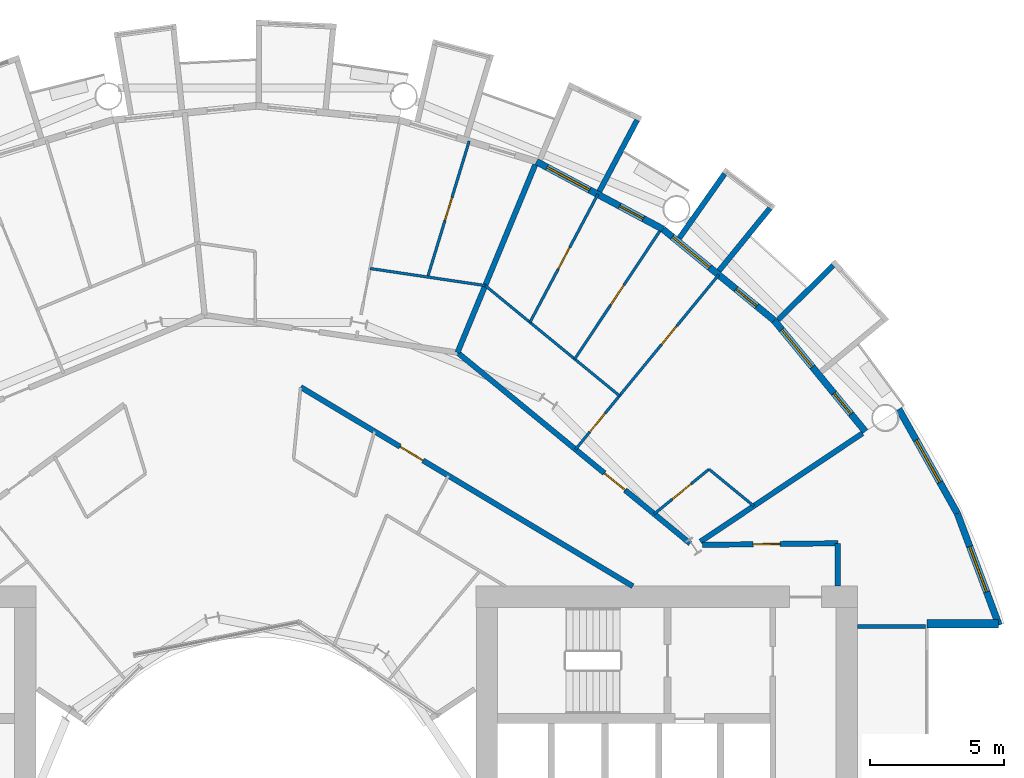
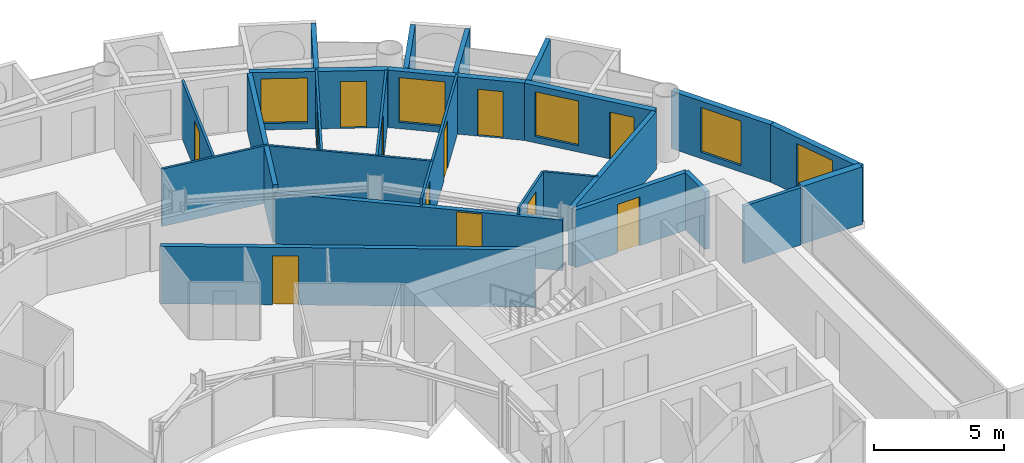
# One storey, part 21 of 26: 25 walls, 12 doors, 5 windows, 17 openings.
"""IFC4 building model written with IfcOpenShell, lengths in metres."""

from ifc_helpers import new_model, si_unit, direction, frame, frame_2d, origin, place, context, subcontext, project, spatial, rectangle, extrude, material, layer, layer_set, type_object, element, fill, save


model = new_model("IFC4")

# Units and contexts
model_context = context("Model", 3, precision=1e-05, world=origin(), true_north=direction((0.0, 1.0)))
body_context = subcontext(model_context, "Body", "Model", "MODEL_VIEW")
ifc_project = project(units=[si_unit("LENGTHUNIT", "METRE"), si_unit("AREAUNIT", "SQUARE_METRE"), si_unit("VOLUMEUNIT", "CUBIC_METRE"), si_unit("PLANEANGLEUNIT", "RADIAN"), si_unit("MASSUNIT", "GRAM", prefix="KILO")], contexts=[model_context])

# Site, building, storey
site_placement = place(None, origin())
site = spatial("IfcSite", under=ifc_project, at=site_placement, CompositionType="ELEMENT")
building_placement = place(site_placement, origin())
building = spatial("IfcBuilding", under=site, at=building_placement, Name="Maasbend Ring Residences", CompositionType="ELEMENT")
storey_placement = place(building_placement, frame((0.0, 0.0, 50.25)))
storey = spatial("IfcBuildingStorey", under=building, at=storey_placement, Name="L14", CompositionType="ELEMENT", Elevation=50.25)

# Wall
ifc_material_1 = material(Name="Concrete C30/37", Category="concrete")
ifc_layer_1 = layer(ifc_material_1, 0.199951171875)
ifc_layer_set_1 = layer_set([ifc_layer_1], Name="Concrete C30/37")
wall_type_1 = type_object("IfcWallType", Name="CORRIDOR WALL 200 CONCRETE", PredefinedType="PARTITIONING", material=ifc_layer_set_1)
wall_1_placement = place(storey_placement, frame((21.675048828125, 9.39990234375, 0.0), z_axis=(0.0, 0.0, 1.0), x_axis=(0.0, 1.0, 0.0)))
element("IfcWall", 1, at=wall_1_placement, inside=storey, type_object=wall_type_1, Name="U-L14-w010", PredefinedType="PARTITIONING", context=body_context, shape_type="SweptSolid", body=[
    extrude(rectangle(XDim=1.60009765625, YDim=0.199951171875, at=frame_2d((0.800048828125, 0.0))), origin(), (0.0, 0.0, 1.0), 2.699951171875),
])

# Wall, opening, door
wall_2_placement = place(storey_placement, frame((16.635986328125, 10.93994140625, 0.0), z_axis=(0.0, 0.0, 1.0), x_axis=(0.999928980998, 0.011917758204, 0.0)))
wall_2 = element("IfcWall", 2, at=wall_2_placement, inside=storey, type_object=wall_type_1, Name="U-L14-w085", PredefinedType="PARTITIONING", context=body_context, shape_type="SweptSolid", body=[
    extrude(rectangle(XDim=5.039306640625, YDim=0.199951171875, at=frame_2d((2.51953125, 0.0))), origin(), (0.0, 0.0, 1.0), 2.699951171875),
])
opening_1_placement = place(wall_2_placement, frame((1.885986328125, 0.0, 0.0)))
opening_1 = element("IfcOpeningElement", 3, at=opening_1_placement, cuts=wall_2, Name="Opening D-1462", PredefinedType="OPENING", context=body_context, shape_type="SweptSolid", body=[
    extrude(rectangle(XDim=1.0, YDim=2.300048828125, at=frame_2d((0.5, 1.14990234375))), frame((0.0, 0.10986328125, 0.0), z_axis=(0.0, -1.0, 0.0), x_axis=(1.0, 0.0, 0.0)), (0.0, 0.0, 1.0), 0.219970703125),
])
ifc_material_2 = material(Name="Timber, painted", Category="wood")
door_type_1 = type_object("IfcDoorType", Name="ROOM DOOR 1000 X 2300", OperationType="NOTDEFINED", PredefinedType="DOOR", material=ifc_material_2)
door_1_placement = place(opening_1_placement, origin())
door_1 = element("IfcDoor", 4, at=door_1_placement, inside=storey, type_object=door_type_1, Name="D-1462", OperationType="SINGLE_SWING_LEFT", OverallHeight=2.300048828125, OverallWidth=1.0, PredefinedType="DOOR", context=body_context, shape_type="SweptSolid", body=[
    extrude(rectangle(XDim=1.0, YDim=2.300048828125, at=frame_2d((0.5, 1.14990234375))), frame((0.0, 0.02490234375, 0.0), z_axis=(0.0, -1.0, 0.0), x_axis=(1.0, 0.0, 0.0)), (0.0, 0.0, 1.0), 0.050048828125),
])
fill(opening_1, door_1)

wall_3_placement = place(storey_placement, frame((1.657958984375, 16.819091796875, 0.0), z_axis=(0.0, 0.0, 1.0), x_axis=(0.857688434449, -0.514169767113, 0.0)))
wall_3 = element("IfcWall", 5, at=wall_3_placement, inside=storey, type_object=wall_type_1, Name="U-L14-w090", PredefinedType="PARTITIONING", context=body_context, shape_type="SweptSolid", body=[
    extrude(rectangle(XDim=14.429443359375, YDim=0.199951171875, at=frame_2d((7.21484375, 0.0))), origin(), (0.0, 0.0, 1.0), 2.699951171875),
])
opening_2_placement = place(wall_3_placement, frame((4.31591796875, 0.0, 0.0)))
opening_2 = element("IfcOpeningElement", 6, at=opening_2_placement, cuts=wall_3, Name="Opening D-1421", PredefinedType="OPENING", context=body_context, shape_type="SweptSolid", body=[
    extrude(rectangle(XDim=1.0, YDim=2.300048828125, at=frame_2d((0.5, 1.14990234375))), frame((0.0, 0.10986328125, 0.0), z_axis=(0.0, -1.0, 0.0), x_axis=(1.0, 0.0, 0.0)), (0.0, 0.0, 1.0), 0.219970703125),
])
ifc_material_3 = material(Name="Timber, fire-rated, painted", Category="wood")
door_type_2 = type_object("IfcDoorType", Name="FLAT ENTRANCE DOOR 1000 X 2300 FIRE-RATED", OperationType="NOTDEFINED", PredefinedType="DOOR", material=ifc_material_3)
door_2_placement = place(opening_2_placement, origin())
door_2 = element("IfcDoor", 7, at=door_2_placement, inside=storey, type_object=door_type_2, Name="D-1421", OperationType="SINGLE_SWING_LEFT", OverallHeight=2.300048828125, OverallWidth=1.0, PredefinedType="DOOR", context=body_context, shape_type="SweptSolid", body=[
    extrude(rectangle(XDim=1.0, YDim=2.300048828125, at=frame_2d((0.5, 1.14990234375))), frame((0.0, 0.02490234375, 0.0), z_axis=(0.0, -1.0, 0.0), x_axis=(1.0, 0.0, 0.0)), (0.0, 0.0, 1.0), 0.050048828125),
])
fill(opening_2, door_2)

wall_4_placement = place(storey_placement, frame((7.5, 18.10791015625, 0.0), z_axis=(0.0, 0.0, 1.0), x_axis=(0.773041360816, -0.634355621452, 0.0)))
wall_4 = element("IfcWall", 8, at=wall_4_placement, inside=storey, type_object=wall_type_1, Name="U-L14-w093", PredefinedType="PARTITIONING", context=body_context, shape_type="SweptSolid", body=[
    extrude(rectangle(XDim=11.220703125, YDim=0.199951171875, at=frame_2d((5.6103515625, 0.0))), origin(), (0.0, 0.0, 1.0), 2.3798828125),
])
opening_3_placement = place(wall_4_placement, frame((7.0830078125, 0.0, 0.0)))
opening_3 = element("IfcOpeningElement", 9, at=opening_3_placement, cuts=wall_4, Name="Opening D-1401", PredefinedType="OPENING", context=body_context, shape_type="SweptSolid", body=[
    extrude(rectangle(XDim=1.0, YDim=2.300048828125, at=frame_2d((0.5, 1.14990234375))), frame((0.0, 0.10986328125, 0.0), z_axis=(0.0, -1.0, 0.0), x_axis=(1.0, 0.0, 0.0)), (0.0, 0.0, 1.0), 0.219970703125),
])
door_3_placement = place(opening_3_placement, origin())
door_3 = element("IfcDoor", 10, at=door_3_placement, inside=storey, type_object=door_type_2, Name="D-1401", OperationType="SINGLE_SWING_RIGHT", OverallHeight=2.300048828125, OverallWidth=1.0, PredefinedType="DOOR", context=body_context, shape_type="SweptSolid", body=[
    extrude(rectangle(XDim=1.0, YDim=2.300048828125, at=frame_2d((0.5, 1.14990234375))), frame((0.0, 0.02490234375, 0.0), z_axis=(0.0, -1.0, 0.0), x_axis=(1.0, 0.0, 0.0)), (0.0, 0.0, 1.0), 0.050048828125),
])
fill(opening_3, door_3)

# Walls
ifc_material_4 = material(Name="Pale anodised aluminium panel", Category="aluminium")
ifc_layer_2 = layer(ifc_material_4, 0.199951171875)
ifc_layer_set_2 = layer_set([ifc_layer_2], Name="EW-BOX")
wall_type_2 = type_object("IfcWallType", Name="EW-BOX", PredefinedType="SOLIDWALL", material=ifc_layer_set_2)
wall_5_placement = place(storey_placement, frame((19.449951171875, 19.322998046875, -0.030029296875), z_axis=(0.0, 0.0, 1.0), x_axis=(0.709727076896, 0.704476739375, 0.0)))
element("IfcWall", 11, at=wall_5_placement, inside=storey, type_object=wall_type_2, Name="Box side wall N02 right", PredefinedType="SOLIDWALL", context=body_context, shape_type="SweptSolid", body=[
    extrude(rectangle(XDim=2.883056640625, YDim=0.199951171875, at=frame_2d((1.44140625, 0.0))), origin(), (0.0, 0.0, 1.0), 2.72998046875),
])
wall_6_placement = place(storey_placement, frame((17.24609375, 21.155029296875, -0.030029296875), z_axis=(0.0, 0.0, 1.0), x_axis=(0.631741648902, 0.775179004516, 0.0)))
element("IfcWall", 12, at=wall_6_placement, inside=storey, type_object=wall_type_2, Name="Box side wall N04 left", PredefinedType="SOLIDWALL", context=body_context, shape_type="SweptSolid", body=[
    extrude(rectangle(XDim=3.005859375, YDim=0.199951171875, at=frame_2d((1.5029296875, 0.0))), origin(), (0.0, 0.0, 1.0), 2.72998046875),
])
wall_7_placement = place(storey_placement, frame((15.764892578125, 22.3701171875, -0.030029296875), z_axis=(0.0, 0.0, 1.0), x_axis=(0.576274612209, 0.817256123454, 0.0)))
element("IfcWall", 13, at=wall_7_placement, inside=storey, type_object=wall_type_2, Name="Box side wall N04 right", PredefinedType="SOLIDWALL", context=body_context, shape_type="SweptSolid", body=[
    extrude(rectangle(XDim=2.932861328125, YDim=0.199951171875, at=frame_2d((1.46630859375, 0.0))), origin(), (0.0, 0.0, 1.0), 2.72998046875),
])
wall_8_placement = place(storey_placement, frame((12.787109375, 24.113037109375, -0.030029296875), z_axis=(0.0, 0.0, 1.0), x_axis=(0.468365282436, 0.883534924159, 0.0)))
element("IfcWall", 14, at=wall_8_placement, inside=storey, type_object=wall_type_2, Name="Box side wall N06 left", PredefinedType="SOLIDWALL", context=body_context, shape_type="SweptSolid", body=[
    extrude(rectangle(XDim=3.006103515625, YDim=0.199951171875, at=frame_2d((1.5029296875, 0.0))), origin(), (0.0, 0.0, 1.0), 2.72998046875),
])

# Wall, openings, door, window
ifc_material_5 = material(Name="Aluminium clad insulated panel", Category="aluminium")
ifc_layer_3 = layer(ifc_material_5, 0.25)
ifc_layer_set_3 = layer_set([ifc_layer_3], Name="EW-GL")
wall_type_3 = type_object("IfcWallType", Name="EW-GL", PredefinedType="SOLIDWALL", material=ifc_layer_set_3)
wall_9_placement = place(storey_placement, frame((22.698974609375, 15.1669921875, 0.0), z_axis=(0.0, 0.0, 1.0), x_axis=(-0.634382322723, 0.773019449054, 0.0)))
wall_9 = element("IfcWall", 15, at=wall_9_placement, inside=storey, type_object=wall_type_3, Name="External wall N01", PredefinedType="SOLIDWALL", context=body_context, shape_type="SweptSolid", body=[
    extrude(rectangle(XDim=5.351806640625, YDim=0.25, at=frame_2d((2.67578125, 0.0))), origin(), (0.0, 0.0, 1.0), 2.699951171875),
])
opening_4_placement = place(wall_9_placement, frame((0.841064453125, 0.0, 0.0)))
opening_4 = element("IfcOpeningElement", 16, at=opening_4_placement, cuts=wall_9, Name="Opening D-LG", PredefinedType="OPENING", context=body_context, shape_type="SweptSolid", body=[
    extrude(rectangle(XDim=1.0, YDim=2.199951171875, at=frame_2d((0.5, 1.10009765625))), frame((0.0, 0.135009765625, 0.0), z_axis=(0.0, -1.0, 0.0), x_axis=(1.0, 0.0, 0.0)), (0.0, 0.0, 1.0), 0.27001953125),
])
opening_5_placement = place(wall_9_placement, frame((3.110595703125, 0.0, 0.300048828125)))
opening_5 = element("IfcOpeningElement", 17, at=opening_5_placement, cuts=wall_9, Name="Opening W-BX", PredefinedType="OPENING", context=body_context, shape_type="SweptSolid", body=[
    extrude(rectangle(XDim=1.800048828125, YDim=2.10009765625, at=frame_2d((0.89990234375, 1.050048828125))), frame((0.0, 0.135009765625, 0.0), z_axis=(0.0, -1.0, 0.0), x_axis=(1.0, 0.0, 0.0)), (0.0, 0.0, 1.0), 0.27001953125),
])
ifc_material_6 = material(Name="Aluminium and clear glass", Category="aluminium")
door_type_3 = type_object("IfcDoorType", Name="D-LG", OperationType="SINGLE_SWING_LEFT", PredefinedType="DOOR", material=ifc_material_6)
door_4_placement = place(opening_4_placement, origin())
door_4 = element("IfcDoor", 18, at=door_4_placement, inside=storey, type_object=door_type_3, Name="Loggia door N01", OperationType="SINGLE_SWING_LEFT", OverallHeight=2.199951171875, OverallWidth=1.0, PredefinedType="DOOR", context=body_context, shape_type="SweptSolid", body=[
    extrude(rectangle(XDim=1.0, YDim=2.199951171875, at=frame_2d((0.5, 1.10009765625))), frame((0.0, 0.02490234375, 0.0), z_axis=(0.0, -1.0, 0.0), x_axis=(1.0, 0.0, 0.0)), (0.0, 0.0, 1.0), 0.050048828125),
])
fill(opening_4, door_4)
ifc_material_7 = material(Name="Aluminium and clear glass", Category="aluminium")
window_type = type_object("IfcWindowType", Name="W-BX", PartitioningType="DOUBLE_PANEL_VERTICAL", PredefinedType="WINDOW", material=ifc_material_7)
window_1_placement = place(opening_5_placement, origin())
window_1 = element("IfcWindow", 19, at=window_1_placement, inside=storey, type_object=window_type, Name="Window N02 room to box", OverallHeight=2.10009765625, OverallWidth=1.800048828125, PartitioningType="SINGLE_PANEL", PredefinedType="WINDOW", context=body_context, shape_type="SweptSolid", body=[
    extrude(rectangle(XDim=1.800048828125, YDim=2.10009765625, at=frame_2d((0.89990234375, 1.050048828125))), frame((0.0, 0.030029296875, 0.0), z_axis=(0.0, -1.0, 0.0), x_axis=(1.0, 0.0, 0.0)), (0.0, 0.0, 1.0), 0.06005859375),
])
fill(opening_5, window_1)

wall_10_placement = place(storey_placement, frame((19.303955078125, 19.303955078125, 0.0), z_axis=(0.0, 0.0, 1.0), x_axis=(-0.773019449054, 0.634382322723, 0.0)))
wall_10 = element("IfcWall", 20, at=wall_10_placement, inside=storey, type_object=wall_type_3, Name="External wall N02", PredefinedType="SOLIDWALL", context=body_context, shape_type="SweptSolid", body=[
    extrude(rectangle(XDim=5.351806640625, YDim=0.25, at=frame_2d((2.67578125, 0.0))), origin(), (0.0, 0.0, 1.0), 2.699951171875),
])
opening_6_placement = place(wall_10_placement, frame((0.841064453125, 0.0, 0.0)))
opening_6 = element("IfcOpeningElement", 21, at=opening_6_placement, cuts=wall_10, Name="Opening D-LG", PredefinedType="OPENING", context=body_context, shape_type="SweptSolid", body=[
    extrude(rectangle(XDim=1.0, YDim=2.199951171875, at=frame_2d((0.5, 1.10009765625))), frame((0.0, 0.135009765625, 0.0), z_axis=(0.0, -1.0, 0.0), x_axis=(1.0, 0.0, 0.0)), (0.0, 0.0, 1.0), 0.27001953125),
])
opening_7_placement = place(wall_10_placement, frame((3.110595703125, 0.0, 0.300048828125)))
opening_7 = element("IfcOpeningElement", 22, at=opening_7_placement, cuts=wall_10, Name="Opening W-BX", PredefinedType="OPENING", context=body_context, shape_type="SweptSolid", body=[
    extrude(rectangle(XDim=1.800048828125, YDim=2.10009765625, at=frame_2d((0.89990234375, 1.050048828125))), frame((0.0, 0.135009765625, 0.0), z_axis=(0.0, -1.0, 0.0), x_axis=(1.0, 0.0, 0.0)), (0.0, 0.0, 1.0), 0.27001953125),
])
door_5_placement = place(opening_6_placement, origin())
door_5 = element("IfcDoor", 23, at=door_5_placement, inside=storey, type_object=door_type_3, Name="Loggia door N03", OperationType="SINGLE_SWING_LEFT", OverallHeight=2.199951171875, OverallWidth=1.0, PredefinedType="DOOR", context=body_context, shape_type="SweptSolid", body=[
    extrude(rectangle(XDim=1.0, YDim=2.199951171875, at=frame_2d((0.5, 1.10009765625))), frame((0.0, 0.02490234375, 0.0), z_axis=(0.0, -1.0, 0.0), x_axis=(1.0, 0.0, 0.0)), (0.0, 0.0, 1.0), 0.050048828125),
])
fill(opening_6, door_5)
window_2_placement = place(opening_7_placement, origin())
window_2 = element("IfcWindow", 24, at=window_2_placement, inside=storey, type_object=window_type, Name="Window N04 room to box", OverallHeight=2.10009765625, OverallWidth=1.800048828125, PartitioningType="SINGLE_PANEL", PredefinedType="WINDOW", context=body_context, shape_type="SweptSolid", body=[
    extrude(rectangle(XDim=1.800048828125, YDim=2.10009765625, at=frame_2d((0.89990234375, 1.050048828125))), frame((0.0, 0.030029296875, 0.0), z_axis=(0.0, -1.0, 0.0), x_axis=(1.0, 0.0, 0.0)), (0.0, 0.0, 1.0), 0.06005859375),
])
fill(opening_7, window_2)

wall_11_placement = place(storey_placement, frame((15.1669921875, 22.698974609375, 0.0), z_axis=(0.0, 0.0, 1.0), x_axis=(-0.881915646801, 0.471407246368, 0.0)))
wall_11 = element("IfcWall", 25, at=wall_11_placement, inside=storey, type_object=wall_type_3, Name="External wall N03", PredefinedType="SOLIDWALL", context=body_context, shape_type="SweptSolid", body=[
    extrude(rectangle(XDim=5.35205078125, YDim=0.25, at=frame_2d((2.676025390625, 0.0))), origin(), (0.0, 0.0, 1.0), 2.699951171875),
])
opening_8_placement = place(wall_11_placement, frame((0.841064453125, 0.0, 0.0)))
opening_8 = element("IfcOpeningElement", 26, at=opening_8_placement, cuts=wall_11, Name="Opening D-LG", PredefinedType="OPENING", context=body_context, shape_type="SweptSolid", body=[
    extrude(rectangle(XDim=1.0, YDim=2.199951171875, at=frame_2d((0.5, 1.10009765625))), frame((0.0, 0.135009765625, 0.0), z_axis=(0.0, -1.0, 0.0), x_axis=(1.0, 0.0, 0.0)), (0.0, 0.0, 1.0), 0.27001953125),
])
opening_9_placement = place(wall_11_placement, frame((3.110595703125, 0.0, 0.300048828125)))
opening_9 = element("IfcOpeningElement", 27, at=opening_9_placement, cuts=wall_11, Name="Opening W-BX", PredefinedType="OPENING", context=body_context, shape_type="SweptSolid", body=[
    extrude(rectangle(XDim=1.800048828125, YDim=2.10009765625, at=frame_2d((0.89990234375, 1.050048828125))), frame((0.0, 0.135009765625, 0.0), z_axis=(0.0, -1.0, 0.0), x_axis=(1.0, 0.0, 0.0)), (0.0, 0.0, 1.0), 0.27001953125),
])
door_6_placement = place(opening_8_placement, origin())
door_6 = element("IfcDoor", 28, at=door_6_placement, inside=storey, type_object=door_type_3, Name="Loggia door N05", OperationType="SINGLE_SWING_LEFT", OverallHeight=2.199951171875, OverallWidth=1.0, PredefinedType="DOOR", context=body_context, shape_type="SweptSolid", body=[
    extrude(rectangle(XDim=1.0, YDim=2.199951171875, at=frame_2d((0.5, 1.10009765625))), frame((0.0, 0.02490234375, 0.0), z_axis=(0.0, -1.0, 0.0), x_axis=(1.0, 0.0, 0.0)), (0.0, 0.0, 1.0), 0.050048828125),
])
fill(opening_8, door_6)
window_3_placement = place(opening_9_placement, origin())
window_3 = element("IfcWindow", 29, at=window_3_placement, inside=storey, type_object=window_type, Name="Window N06 room to box", OverallHeight=2.10009765625, OverallWidth=1.800048828125, PartitioningType="SINGLE_PANEL", PredefinedType="WINDOW", context=body_context, shape_type="SweptSolid", body=[
    extrude(rectangle(XDim=1.800048828125, YDim=2.10009765625, at=frame_2d((0.89990234375, 1.050048828125))), frame((0.0, 0.030029296875, 0.0), z_axis=(0.0, -1.0, 0.0), x_axis=(1.0, 0.0, 0.0)), (0.0, 0.0, 1.0), 0.06005859375),
])
fill(opening_9, window_3)

# Wall, opening, window
ifc_material_8 = material(Name="Aluminium clad insulated panel", Category="aluminium")
ifc_layer_4 = layer(ifc_material_8, 0.25)
ifc_layer_set_4 = layer_set([ifc_layer_4], Name="EW-HORN")
wall_type_4 = type_object("IfcWallType", Name="EW-HORN", PredefinedType="SOLIDWALL", material=ifc_layer_set_4)
wall_12_placement = place(storey_placement, frame((27.681884765625, 7.945068359375, 0.0), z_axis=(0.0, 0.0, 1.0), x_axis=(-0.349247811493, 0.937030397675, 0.0)))
wall_12 = element("IfcWall", 30, at=wall_12_placement, inside=storey, type_object=wall_type_4, Name="Horn wall 1.1", PredefinedType="SOLIDWALL", context=body_context, shape_type="SweptSolid", body=[
    extrude(rectangle(XDim=4.4521484375, YDim=0.25, at=frame_2d((2.22607421875, 0.0))), origin(), (0.0, 0.0, 1.0), 2.699951171875),
])
opening_10_placement = place(wall_12_placement, frame((1.32666015625, 0.0, 0.300048828125)))
opening_10 = element("IfcOpeningElement", 31, at=opening_10_placement, cuts=wall_12, Name="Opening W-BX", PredefinedType="OPENING", context=body_context, shape_type="SweptSolid", body=[
    extrude(rectangle(XDim=1.800048828125, YDim=2.10009765625, at=frame_2d((0.89990234375, 1.050048828125))), frame((0.0, 0.135009765625, 0.0), z_axis=(0.0, -1.0, 0.0), x_axis=(1.0, 0.0, 0.0)), (0.0, 0.0, 1.0), 0.27001953125),
])
window_4_placement = place(opening_10_placement, origin())
window_4 = element("IfcWindow", 32, at=window_4_placement, inside=storey, type_object=window_type, Name="Horn window 1.1", OverallHeight=2.10009765625, OverallWidth=1.800048828125, PartitioningType="SINGLE_PANEL", PredefinedType="WINDOW", context=body_context, shape_type="SweptSolid", body=[
    extrude(rectangle(XDim=1.800048828125, YDim=2.10009765625, at=frame_2d((0.89990234375, 1.050048828125))), frame((0.0, 0.030029296875, 0.0), z_axis=(0.0, -1.0, 0.0), x_axis=(1.0, 0.0, 0.0)), (0.0, 0.0, 1.0), 0.06005859375),
])
fill(opening_10, window_4)

wall_13_placement = place(storey_placement, frame((26.126953125, 12.116943359375, 0.0), z_axis=(0.0, 0.0, 1.0), x_axis=(-0.489696356642, 0.871893042919, 0.0)))
wall_13 = element("IfcWall", 33, at=wall_13_placement, inside=storey, type_object=wall_type_4, Name="Horn wall 1.2", PredefinedType="SOLIDWALL", context=body_context, shape_type="SweptSolid", body=[
    extrude(rectangle(XDim=4.45361328125, YDim=0.25, at=frame_2d((2.226806640625, 0.0))), origin(), (0.0, 0.0, 1.0), 2.699951171875),
])
opening_11_placement = place(wall_13_placement, frame((1.32666015625, 0.0, 0.300048828125)))
opening_11 = element("IfcOpeningElement", 34, at=opening_11_placement, cuts=wall_13, Name="Opening W-BX", PredefinedType="OPENING", context=body_context, shape_type="SweptSolid", body=[
    extrude(rectangle(XDim=1.800048828125, YDim=2.10009765625, at=frame_2d((0.89990234375, 1.050048828125))), frame((0.0, 0.135009765625, 0.0), z_axis=(0.0, -1.0, 0.0), x_axis=(1.0, 0.0, 0.0)), (0.0, 0.0, 1.0), 0.27001953125),
])
window_5_placement = place(opening_11_placement, origin())
window_5 = element("IfcWindow", 35, at=window_5_placement, inside=storey, type_object=window_type, Name="Horn window 1.2", OverallHeight=2.10009765625, OverallWidth=1.800048828125, PartitioningType="SINGLE_PANEL", PredefinedType="WINDOW", context=body_context, shape_type="SweptSolid", body=[
    extrude(rectangle(XDim=1.800048828125, YDim=2.10009765625, at=frame_2d((0.89990234375, 1.050048828125))), frame((0.0, 0.030029296875, 0.0), z_axis=(0.0, -1.0, 0.0), x_axis=(1.0, 0.0, 0.0)), (0.0, 0.0, 1.0), 0.06005859375),
])
fill(opening_11, window_5)

# Wall
ifc_material_9 = material(Name="Aluminium clad insulated panel", Category="aluminium")
ifc_layer_5 = layer(ifc_material_9, 0.300048828125)
ifc_layer_set_5 = layer_set([ifc_layer_5], Name="EW-RET")
wall_type_5 = type_object("IfcWallType", Name="EW-RET", PredefinedType="SOLIDWALL", material=ifc_layer_set_5)
wall_14_placement = place(storey_placement, frame((25.0, 8.0, 0.0), z_axis=(0.0, 0.0, 1.0), x_axis=(1.0, 0.0, 0.0)))
element("IfcWall", 36, at=wall_14_placement, inside=storey, type_object=wall_type_5, Name="Notch return wall east north", PredefinedType="SOLIDWALL", context=body_context, shape_type="SweptSolid", body=[
    extrude(rectangle(XDim=2.6669921875, YDim=0.300048828125, at=frame_2d((1.33349609375, 0.0))), origin(), (0.0, 0.0, 1.0), 2.699951171875),
])

# Wall, opening, door
ifc_material_10 = material(Name="Gypsum board on steel studs", Category="steel")
ifc_layer_6 = layer(ifc_material_10, 0.10009765625)
ifc_layer_set_6 = layer_set([ifc_layer_6], Name="PARTITION 100 GYPSUM")
wall_type_6 = type_object("IfcWallType", Name="PARTITION 100 GYPSUM", PredefinedType="PARTITIONING", material=ifc_layer_set_6)
wall_15_placement = place(storey_placement, frame((6.389892578125, 20.9208984375, 0.0), z_axis=(0.0, 0.0, 1.0), x_axis=(0.292081613207, 0.956393397732, 0.0)))
wall_15 = element("IfcWall", 37, at=wall_15_placement, inside=storey, type_object=wall_type_6, Name="U-L14-w068", PredefinedType="PARTITIONING", context=body_context, shape_type="SweptSolid", body=[
    extrude(rectangle(XDim=5.30029296875, YDim=0.10009765625, at=frame_2d((2.650146484375, 0.0))), origin(), (0.0, 0.0, 1.0), 2.699951171875),
])
opening_12_placement = place(wall_15_placement, frame((2.199951171875, 0.0, 0.0)))
opening_12 = element("IfcOpeningElement", 38, at=opening_12_placement, cuts=wall_15, Name="Opening D-1411", PredefinedType="OPENING", context=body_context, shape_type="SweptSolid", body=[
    extrude(rectangle(XDim=0.89990234375, YDim=2.300048828125, at=frame_2d((0.449951171875, 1.14990234375))), frame((0.0, 0.06005859375, 0.0), z_axis=(0.0, -1.0, 0.0), x_axis=(1.0, 0.0, 0.0)), (0.0, 0.0, 1.0), 0.1201171875),
])
ifc_material_11 = material(Name="Timber, painted", Category="wood")
door_type_4 = type_object("IfcDoorType", Name="INTERNAL DOOR 900 X 2300", OperationType="NOTDEFINED", PredefinedType="DOOR", material=ifc_material_11)
door_7_placement = place(opening_12_placement, origin())
door_7 = element("IfcDoor", 39, at=door_7_placement, inside=storey, type_object=door_type_4, Name="D-1411", OperationType="SINGLE_SWING_LEFT", OverallHeight=2.300048828125, OverallWidth=0.89990234375, PredefinedType="DOOR", context=body_context, shape_type="SweptSolid", body=[
    extrude(rectangle(XDim=0.89990234375, YDim=2.300048828125, at=frame_2d((0.449951171875, 1.14990234375))), frame((0.0, 0.02490234375, 0.0), z_axis=(0.0, -1.0, 0.0), x_axis=(1.0, 0.0, 0.0)), (0.0, 0.0, 1.0), 0.050048828125),
])
fill(opening_12, door_7)

wall_16_placement = place(storey_placement, frame((10.201904296875, 19.23388671875, 0.0), z_axis=(0.0, 0.0, 1.0), x_axis=(0.468610030042, 0.883405139075, 0.0)))
wall_16 = element("IfcWall", 40, at=wall_16_placement, inside=storey, type_object=wall_type_6, Name="U-L14-w071", PredefinedType="PARTITIONING", context=body_context, shape_type="SweptSolid", body=[
    extrude(rectangle(XDim=5.403076171875, YDim=0.10009765625, at=frame_2d((2.70166015625, 0.0))), origin(), (0.0, 0.0, 1.0), 2.699951171875),
])
opening_13_placement = place(wall_16_placement, frame((2.251953125, 0.0, 0.0)))
opening_13 = element("IfcOpeningElement", 41, at=opening_13_placement, cuts=wall_16, Name="Opening D-1406", PredefinedType="OPENING", context=body_context, shape_type="SweptSolid", body=[
    extrude(rectangle(XDim=0.89990234375, YDim=2.300048828125, at=frame_2d((0.449951171875, 1.14990234375))), frame((0.0, 0.06005859375, 0.0), z_axis=(0.0, -1.0, 0.0), x_axis=(1.0, 0.0, 0.0)), (0.0, 0.0, 1.0), 0.1201171875),
])
door_8_placement = place(opening_13_placement, origin())
door_8 = element("IfcDoor", 42, at=door_8_placement, inside=storey, type_object=door_type_4, Name="D-1406", OperationType="SINGLE_SWING_LEFT", OverallHeight=2.300048828125, OverallWidth=0.89990234375, PredefinedType="DOOR", context=body_context, shape_type="SweptSolid", body=[
    extrude(rectangle(XDim=0.89990234375, YDim=2.300048828125, at=frame_2d((0.449951171875, 1.14990234375))), frame((0.0, 0.02490234375, 0.0), z_axis=(0.0, -1.0, 0.0), x_axis=(1.0, 0.0, 0.0)), (0.0, 0.0, 1.0), 0.050048828125),
])
fill(opening_13, door_8)

wall_17_placement = place(storey_placement, frame((11.8701171875, 17.864990234375, 0.0), z_axis=(0.0, 0.0, 1.0), x_axis=(0.553440102418, 0.832888980018, 0.0)))
wall_17 = element("IfcWall", 43, at=wall_17_placement, inside=storey, type_object=wall_type_6, Name="U-L14-w074", PredefinedType="PARTITIONING", context=body_context, shape_type="SweptSolid", body=[
    extrude(rectangle(XDim=5.725830078125, YDim=0.10009765625, at=frame_2d((2.86279296875, 0.0))), origin(), (0.0, 0.0, 1.0), 2.699951171875),
])
opening_14_placement = place(wall_17_placement, frame((2.4130859375, 0.0, 0.0)))
opening_14 = element("IfcOpeningElement", 44, at=opening_14_placement, cuts=wall_17, Name="Opening D-1405", PredefinedType="OPENING", context=body_context, shape_type="SweptSolid", body=[
    extrude(rectangle(XDim=0.89990234375, YDim=2.300048828125, at=frame_2d((0.449951171875, 1.14990234375))), frame((0.0, 0.06005859375, 0.0), z_axis=(0.0, -1.0, 0.0), x_axis=(1.0, 0.0, 0.0)), (0.0, 0.0, 1.0), 0.1201171875),
])
door_9_placement = place(opening_14_placement, origin())
door_9 = element("IfcDoor", 45, at=door_9_placement, inside=storey, type_object=door_type_4, Name="D-1405", OperationType="SINGLE_SWING_LEFT", OverallHeight=2.300048828125, OverallWidth=0.89990234375, PredefinedType="DOOR", context=body_context, shape_type="SweptSolid", body=[
    extrude(rectangle(XDim=0.89990234375, YDim=2.300048828125, at=frame_2d((0.449951171875, 1.14990234375))), frame((0.0, 0.02490234375, 0.0), z_axis=(0.0, -1.0, 0.0), x_axis=(1.0, 0.0, 0.0)), (0.0, 0.0, 1.0), 0.050048828125),
])
fill(opening_14, door_9)

# Wall, openings, doors
wall_18_placement = place(storey_placement, frame((11.89892578125, 14.4990234375, 0.0), z_axis=(0.0, 0.0, 1.0), x_axis=(0.634396151441, 0.77300810024, 0.0)))
wall_18 = element("IfcWall", 46, at=wall_18_placement, inside=storey, type_object=wall_type_6, Name="U-L14-w075", PredefinedType="PARTITIONING", context=body_context, shape_type="SweptSolid", body=[
    extrude(rectangle(XDim=8.419189453125, YDim=0.10009765625, at=frame_2d((4.20947265625, 0.0))), origin(), (0.0, 0.0, 1.0), 2.699951171875),
])
opening_15_placement = place(wall_18_placement, frame((0.840087890625, 0.0, 0.0)))
opening_15 = element("IfcOpeningElement", 47, at=opening_15_placement, cuts=wall_18, Name="Opening D-1403", PredefinedType="OPENING", context=body_context, shape_type="SweptSolid", body=[
    extrude(rectangle(XDim=0.89990234375, YDim=2.300048828125, at=frame_2d((0.449951171875, 1.14990234375))), frame((0.0, 0.06005859375, 0.0), z_axis=(0.0, -1.0, 0.0), x_axis=(1.0, 0.0, 0.0)), (0.0, 0.0, 1.0), 0.1201171875),
])
opening_16_placement = place(wall_18_placement, frame((5.051025390625, 0.0, 0.0)))
opening_16 = element("IfcOpeningElement", 48, at=opening_16_placement, cuts=wall_18, Name="Opening D-1404", PredefinedType="OPENING", context=body_context, shape_type="SweptSolid", body=[
    extrude(rectangle(XDim=0.89990234375, YDim=2.300048828125, at=frame_2d((0.449951171875, 1.14990234375))), frame((0.0, 0.06005859375, 0.0), z_axis=(0.0, -1.0, 0.0), x_axis=(1.0, 0.0, 0.0)), (0.0, 0.0, 1.0), 0.1201171875),
])
door_10_placement = place(opening_15_placement, origin())
door_10 = element("IfcDoor", 49, at=door_10_placement, inside=storey, type_object=door_type_4, Name="D-1403", OperationType="SINGLE_SWING_LEFT", OverallHeight=2.300048828125, OverallWidth=0.89990234375, PredefinedType="DOOR", context=body_context, shape_type="SweptSolid", body=[
    extrude(rectangle(XDim=0.89990234375, YDim=2.300048828125, at=frame_2d((0.449951171875, 1.14990234375))), frame((0.0, 0.02490234375, 0.0), z_axis=(0.0, -1.0, 0.0), x_axis=(1.0, 0.0, 0.0)), (0.0, 0.0, 1.0), 0.050048828125),
])
fill(opening_15, door_10)
door_11_placement = place(opening_16_placement, origin())
door_11 = element("IfcDoor", 50, at=door_11_placement, inside=storey, type_object=door_type_4, Name="D-1404", OperationType="SINGLE_SWING_RIGHT", OverallHeight=2.300048828125, OverallWidth=0.89990234375, PredefinedType="DOOR", context=body_context, shape_type="SweptSolid", body=[
    extrude(rectangle(XDim=0.89990234375, YDim=2.300048828125, at=frame_2d((0.449951171875, 1.14990234375))), frame((0.0, 0.02490234375, 0.0), z_axis=(0.0, -1.0, 0.0), x_axis=(1.0, 0.0, 0.0)), (0.0, 0.0, 1.0), 0.050048828125),
])
fill(opening_16, door_11)

# Wall, opening, door
wall_19_placement = place(storey_placement, frame((14.8310546875, 12.092041015625, 0.0), z_axis=(0.0, 0.0, 1.0), x_axis=(0.774979608522, 0.631986239072, 0.0)))
wall_19 = element("IfcWall", 51, at=wall_19_placement, inside=storey, type_object=wall_type_6, Name="U-L14-w078", PredefinedType="PARTITIONING", context=body_context, shape_type="SweptSolid", body=[
    extrude(rectangle(XDim=2.63623046875, YDim=0.10009765625, at=frame_2d((1.318115234375, 0.0))), origin(), (0.0, 0.0, 1.0), 2.699951171875),
])
opening_17_placement = place(wall_19_placement, frame((0.867919921875, 0.0, 0.0)))
opening_17 = element("IfcOpeningElement", 52, at=opening_17_placement, cuts=wall_19, Name="Opening D-1402", PredefinedType="OPENING", context=body_context, shape_type="SweptSolid", body=[
    extrude(rectangle(XDim=0.89990234375, YDim=2.300048828125, at=frame_2d((0.449951171875, 1.14990234375))), frame((0.0, 0.06005859375, 0.0), z_axis=(0.0, -1.0, 0.0), x_axis=(1.0, 0.0, 0.0)), (0.0, 0.0, 1.0), 0.1201171875),
])
door_12_placement = place(opening_17_placement, origin())
door_12 = element("IfcDoor", 53, at=door_12_placement, inside=storey, type_object=door_type_4, Name="D-1402", OperationType="SINGLE_SWING_RIGHT", OverallHeight=2.300048828125, OverallWidth=0.89990234375, PredefinedType="DOOR", context=body_context, shape_type="SweptSolid", body=[
    extrude(rectangle(XDim=0.89990234375, YDim=2.300048828125, at=frame_2d((0.449951171875, 1.14990234375))), frame((0.0, 0.02490234375, 0.0), z_axis=(0.0, -1.0, 0.0), x_axis=(1.0, 0.0, 0.0)), (0.0, 0.0, 1.0), 0.050048828125),
])
fill(opening_17, door_12)

# Walls
wall_20_placement = place(storey_placement, frame((8.533935546875, 20.60302734375, 0.0), z_axis=(0.0, 0.0, 1.0), x_axis=(0.773000340237, -0.634405606843, 0.0)))
element("IfcWall", 54, at=wall_20_placement, inside=storey, type_object=wall_type_6, Name="U-L14-w098", PredefinedType="PARTITIONING", context=body_context, shape_type="SweptSolid", body=[
    extrude(rectangle(XDim=6.4736328125, YDim=0.10009765625, at=frame_2d((3.23681640625, 0.0))), origin(), (0.0, 0.0, 1.0), 2.699951171875),
])
wall_21_placement = place(storey_placement, frame((16.8740234375, 13.758056640625, 0.0), z_axis=(0.0, 0.0, 1.0), x_axis=(0.772948171844, -0.634469166818, 0.0)))
element("IfcWall", 55, at=wall_21_placement, inside=storey, type_object=wall_type_6, Name="U-L14-w099", PredefinedType="PARTITIONING", context=body_context, shape_type="SweptSolid", body=[
    extrude(rectangle(XDim=2.157958984375, YDim=0.10009765625, at=frame_2d((1.0791015625, 0.0))), origin(), (0.0, 0.0, 1.0), 2.699951171875),
])
wall_22_placement = place(storey_placement, frame((4.24609375, 21.239013671875, 0.0), z_axis=(0.0, 0.0, 1.0), x_axis=(0.989178348771, -0.146718077695, 0.0)))
element("IfcWall", 56, at=wall_22_placement, inside=storey, type_object=wall_type_6, Name="U-L14-w101", PredefinedType="PARTITIONING", context=body_context, shape_type="SweptSolid", body=[
    extrude(rectangle(XDim=4.334716796875, YDim=0.10009765625, at=frame_2d((2.16748046875, 0.0))), origin(), (0.0, 0.0, 1.0), 2.699951171875),
])
ifc_material_12 = material(Name="Gypsum board on steel studs", Category="steel")
ifc_layer_7 = layer(ifc_material_12, 0.14990234375)
ifc_layer_set_7 = layer_set([ifc_layer_7], Name="PARTITION 150 EI 60")
wall_type_7 = type_object("IfcWallType", Name="PARTITION 150 EI 60", PredefinedType="PARTITIONING", material=ifc_layer_set_7)
wall_23_placement = place(storey_placement, frame((22.39990234375, 7.89990234375, 0.0), z_axis=(0.0, 0.0, 1.0), x_axis=(1.0, 0.0, 0.0)))
element("IfcWall", 57, at=wall_23_placement, inside=storey, type_object=wall_type_7, Name="L14 core E wall CITN", PredefinedType="PARTITIONING", context=body_context, shape_type="SweptSolid", body=[
    extrude(rectangle(XDim=2.5400390625, YDim=0.14990234375, at=frame_2d((1.27001953125, 0.0))), origin(), (0.0, 0.0, 1.0), 2.699951171875),
])
ifc_material_13 = material(Name="Concrete C30/37", Category="concrete")
ifc_layer_8 = layer(ifc_material_13, 0.199951171875)
ifc_layer_set_8 = layer_set([ifc_layer_8], Name="Concrete C30/37")
wall_type_8 = type_object("IfcWallType", Name="PARTY WALL 200 CONCRETE", PredefinedType="PARTITIONING", material=ifc_layer_set_8)
wall_24_placement = place(storey_placement, frame((7.5009765625, 18.10791015625, 0.0), z_axis=(0.0, 0.0, 1.0), x_axis=(0.382600411313, 0.923913916587, 0.0)))
element("IfcWall", 58, at=wall_24_placement, inside=storey, type_object=wall_type_8, Name="U-L14-w069", PredefinedType="PARTITIONING", context=body_context, shape_type="SweptSolid", body=[
    extrude(rectangle(XDim=7.574462890625, YDim=0.199951171875, at=frame_2d((3.787109375, 0.0))), origin(), (0.0, 0.0, 1.0), 2.699951171875),
])
wall_25_placement = place(storey_placement, frame((16.554931640625, 11.06103515625, 0.0), z_axis=(0.0, 0.0, 1.0), x_axis=(0.831403467378, 0.55566921314, 0.0)))
element("IfcWall", 59, at=wall_25_placement, inside=storey, type_object=wall_type_8, Name="U-L14-w080", PredefinedType="PARTITIONING", context=body_context, shape_type="SweptSolid", body=[
    extrude(rectangle(XDim=7.264892578125, YDim=0.199951171875, at=frame_2d((3.63232421875, 0.0))), origin(), (0.0, 0.0, 1.0), 2.699951171875),
])

save(model, "model.ifc")
